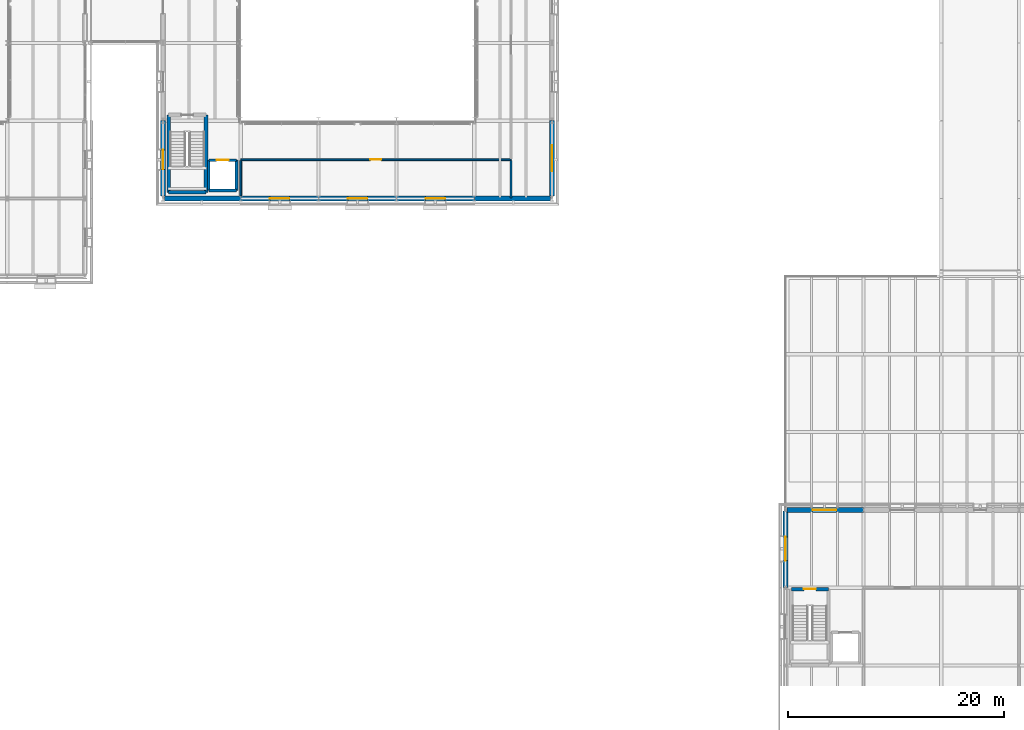
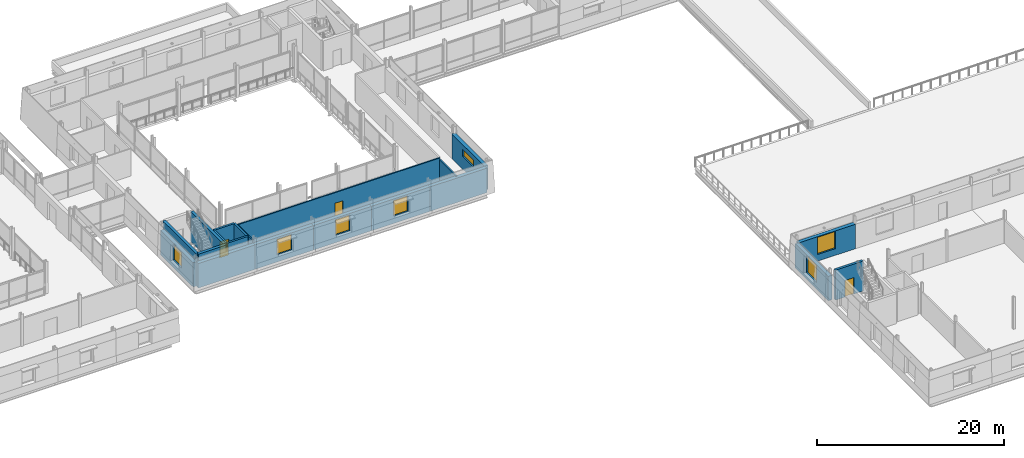
# One storey, part 69 of 115: 20 walls, 7 windows, 3 doors, 10 openings.
"""IFC4 building model written with IfcOpenShell, lengths in metres."""

from ifc_helpers import new_model, si_unit, direction, frame, frame_2d, origin, place, context, subcontext, project, spatial, rectangle, extrude, material, layer, layer_set, type_object, element, fill, save


model = new_model("IFC4")

# Units and contexts
model_context = context("Model", 3, precision=1e-05, world=origin(), true_north=direction((0.0, 1.0)))
body_context = subcontext(model_context, "Body", "Model", "MODEL_VIEW")
ifc_project = project(units=[si_unit("LENGTHUNIT", "METRE"), si_unit("AREAUNIT", "SQUARE_METRE"), si_unit("VOLUMEUNIT", "CUBIC_METRE"), si_unit("PLANEANGLEUNIT", "RADIAN"), si_unit("MASSUNIT", "GRAM", prefix="KILO")], contexts=[model_context])

# Site, building, storey
site_placement = place(None, origin())
site = spatial("IfcSite", under=ifc_project, at=site_placement, CompositionType="ELEMENT")
building_placement = place(site_placement, origin())
building = spatial("IfcBuilding", under=site, at=building_placement, Name="Narikvali Park Central Library", CompositionType="ELEMENT")
storey_placement = place(building_placement, frame((0.0, 0.0, 10.199951171875)))
storey = spatial("IfcBuildingStorey", under=building, at=storey_placement, Name="L02", CompositionType="ELEMENT", Elevation=10.199951171875)

# Walls
ifc_material_1 = material(Name="Acoustic Gypsum on Steel Studs", Category="steel")
ifc_layer_1 = layer(ifc_material_1, 0.179931640625, Name="Acoustic Gypsum on Steel Studs")
ifc_layer_set_1 = layer_set([ifc_layer_1], Name="Acoustic Gypsum on Steel Studs")
wall_type_1 = type_object("IfcWallType", Name="Reading Room Acoustic Partition 180", PredefinedType="PARTITIONING", material=ifc_layer_set_1)
wall_1_placement = place(storey_placement, frame((97.0, 57.655029296875, 0.0), z_axis=(0.0, 0.0, 1.0), x_axis=(0.0, 1.0, 0.0)))
element("IfcWall", 1, at=wall_1_placement, inside=storey, type_object=wall_type_1, Name="Mezzanine East Open Stacks Gallery Partition W", PredefinedType="PARTITIONING", context=body_context, shape_type="SweptSolid", body=[
    extrude(rectangle(XDim=3.462890625, YDim=0.179931640625, at=frame_2d((1.7314453125, 0.0))), origin(), (0.0, 0.0, 1.0), 3.35498046875),
])
ifc_material_2 = material(Name="Concrete C40/50", Category="concrete")
ifc_layer_2 = layer(ifc_material_2, 0.35009765625, Name="Concrete C40/50")
ifc_layer_set_2 = layer_set([ifc_layer_2], Name="Concrete C40/50")
wall_type_2 = type_object("IfcWallType", Name="Reinforced Concrete Core Shear Wall 350", PredefinedType="SHEAR", material=ifc_layer_set_2)
wall_2_placement = place(storey_placement, frame((65.330078125, 58.179931640625, 0.0), z_axis=(0.0, 0.0, 1.0), x_axis=(1.0, 0.0, 0.0)))
element("IfcWall", 2, at=wall_2_placement, inside=storey, type_object=wall_type_2, Name="C1A L02 Stair Core Shear Wall S", PredefinedType="SHEAR", context=body_context, shape_type="SweptSolid", body=[
    extrude(rectangle(XDim=3.43994140625, YDim=0.35009765625, at=frame_2d((1.719970703125, 0.0))), origin(), (0.0, 0.0, 1.0), 3.920166015625),
])
for number, where, z_axis, x_axis, name in (
    (3, (68.77001953125, 58.179931640625, 0.0), (0.0, 0.0, 1.0), (0.0, 1.0, 0.0), "C1A L02 Stair Core Shear Wall E"),
    (4, (65.330078125, 65.320068359375, 0.0), (0.0, 0.0, 1.0), (0.0, -1.0, 0.0), "C1A L02 Stair Core Shear Wall W"),
):
    element("IfcWall", number, at=place(storey_placement, frame(where, z_axis=z_axis, x_axis=x_axis)), inside=storey, type_object=wall_type_2, Name=name, PredefinedType="SHEAR", context=body_context, shape_type="SweptSolid", body=[
        extrude(rectangle(XDim=7.14013671875, YDim=0.35009765625, at=frame_2d((3.570068359375, 0.0))), origin(), (0.0, 0.0, 1.0), 3.920166015625),
    ])
ifc_layer_3 = layer(ifc_material_2, 0.25, Name="Concrete C40/50")
ifc_layer_set_3 = layer_set([ifc_layer_3], Name="Concrete C40/50")
wall_type_3 = type_object("IfcWallType", Name="Reinforced Concrete Lift Shaft Wall 250", PredefinedType="SHEAR", material=ifc_layer_set_3)
wall_3_placement = place(storey_placement, frame((69.050048828125, 58.35009765625, 0.0), z_axis=(0.0, 0.0, 1.0), x_axis=(1.0, 0.0, 0.0)))
element("IfcWall", 5, at=wall_3_placement, inside=storey, type_object=wall_type_3, Name="L-01 L02 Lift Shaft Wall S", PredefinedType="SHEAR", context=body_context, shape_type="SweptSolid", body=[
    extrude(rectangle(XDim=2.550048828125, YDim=0.25, at=frame_2d((1.27490234375, 0.0))), origin(), (0.0, 0.0, 1.0), 3.920166015625),
])
wall_4_placement = place(storey_placement, frame((71.60009765625, 58.35009765625, 0.0), z_axis=(0.0, 0.0, 1.0), x_axis=(0.0, 1.0, 0.0)))
element("IfcWall", 6, at=wall_4_placement, inside=storey, type_object=wall_type_3, Name="L-01 L02 Lift Shaft Wall E", PredefinedType="SHEAR", context=body_context, shape_type="SweptSolid", body=[
    extrude(rectangle(XDim=2.7998046875, YDim=0.25, at=frame_2d((1.39990234375, 0.0))), origin(), (0.0, 0.0, 1.0), 3.920166015625),
])

# Wall, opening, door
wall_5_placement = place(storey_placement, frame((71.60009765625, 61.14990234375, 0.0), z_axis=(0.0, 0.0, 1.0), x_axis=(-1.0, 0.0, 0.0)))
wall_5 = element("IfcWall", 7, at=wall_5_placement, inside=storey, type_object=wall_type_3, Name="L-01 L02 Lift Shaft Wall N", PredefinedType="SHEAR", context=body_context, shape_type="SweptSolid", body=[
    extrude(rectangle(XDim=2.550048828125, YDim=0.25, at=frame_2d((1.27490234375, 0.0))), origin(), (0.0, 0.0, 1.0), 3.920166015625),
])
opening_1_placement = place(wall_5_placement, frame((0.72509765625, 0.0, 0.0)))
opening_1 = element("IfcOpeningElement", 8, at=opening_1_placement, cuts=wall_5, Name="Opening LD-004", PredefinedType="OPENING", context=body_context, shape_type="SweptSolid", body=[
    extrude(rectangle(XDim=1.10009765625, YDim=2.10009765625, at=frame_2d((0.550048828125, 1.050048828125))), frame((0.0, 0.136962890625, 0.0), z_axis=(0.0, -1.0, 0.0), x_axis=(1.0, 0.0, 0.0)), (0.0, 0.0, 1.0), 0.27392578125),
])
ifc_material_3 = material(Name="Brushed Stainless Steel S355", Category="steel")
door_type_1 = type_object("IfcDoorType", Name="Passenger Lift Sliding Landing Door 1100x2100", OperationType="SLIDING_TO_LEFT", PredefinedType="DOOR", material=ifc_material_3)
door_1_placement = place(opening_1_placement, origin())
door_1 = element("IfcDoor", 9, at=door_1_placement, inside=storey, type_object=door_type_1, Name="L-01 L02 Lift Landing Sliding Door LD-004", OperationType="SLIDING_TO_LEFT", OverallHeight=2.10009765625, OverallWidth=1.10009765625, PredefinedType="DOOR", context=body_context, shape_type="SweptSolid", body=[
    extrude(rectangle(XDim=1.10009765625, YDim=2.10009765625, at=frame_2d((0.550048828125, 1.050048828125))), frame((0.0, 0.02490234375, 0.0), z_axis=(0.0, -1.0, 0.0), x_axis=(1.0, 0.0, 0.0)), (0.0, 0.0, 1.0), 0.050048828125),
])
fill(opening_1, door_1)

# Wall
wall_6_placement = place(storey_placement, frame((69.050048828125, 61.14990234375, 0.0), z_axis=(0.0, 0.0, 1.0), x_axis=(0.0, -1.0, 0.0)))
element("IfcWall", 10, at=wall_6_placement, inside=storey, type_object=wall_type_3, Name="L-01 L02 Lift Shaft Wall W", PredefinedType="SHEAR", context=body_context, shape_type="SweptSolid", body=[
    extrude(rectangle(XDim=2.7998046875, YDim=0.25, at=frame_2d((1.39990234375, 0.0))), origin(), (0.0, 0.0, 1.0), 3.920166015625),
])

# Wall, opening, door
ifc_layer_4 = layer(ifc_material_2, 0.300048828125, Name="Concrete C40/50")
ifc_layer_set_4 = layer_set([ifc_layer_4], Name="Concrete C40/50")
wall_type_4 = type_object("IfcWallType", Name="Reinforced Concrete Shear Wall 300", PredefinedType="SHEAR", material=ifc_layer_set_4)
wall_7_placement = place(storey_placement, frame((126.3701171875, 21.469970703125, 0.0), z_axis=(0.0, 0.0, 1.0), x_axis=(-1.0, 0.0, 0.0)))
wall_7 = element("IfcWall", 11, at=wall_7_placement, inside=storey, type_object=wall_type_4, Name="C6A L02 Stair Core Shear Wall N", PredefinedType="SHEAR", context=body_context, shape_type="SweptSolid", body=[
    extrude(rectangle(XDim=3.440185546875, YDim=0.300048828125, at=frame_2d((1.72021484375, 0.0))), origin(), (0.0, 0.0, 1.0), 3.920166015625),
])
opening_2_placement = place(wall_7_placement, frame((1.169921875, 0.0, 0.0)))
opening_2 = element("IfcOpeningElement", 12, at=opening_2_placement, cuts=wall_7, Name="Opening SD-060", PredefinedType="OPENING", context=body_context, shape_type="SweptSolid", body=[
    extrude(rectangle(XDim=1.10009765625, YDim=2.14990234375, at=frame_2d((0.550048828125, 1.074951171875))), frame((0.0, 0.162109375, 0.0), z_axis=(0.0, -1.0, 0.0), x_axis=(1.0, 0.0, 0.0)), (0.0, 0.0, 1.0), 0.323974609375),
])
ifc_material_4 = material(Name="Powder-Coated Steel S275 Fire Leaf", Category="steel")
door_type_2 = type_object("IfcDoorType", Name="Stair Core Smoke-Control Fire Door 1100x2150", OperationType="SINGLE_SWING_LEFT", PredefinedType="DOOR", material=ifc_material_4)
door_2_placement = place(opening_2_placement, frame((1.10009765625, 0.0, 0.0), z_axis=(0.0, 0.0, 1.0), x_axis=(-1.0, 0.0, 0.0)))
door_2 = element("IfcDoor", 13, at=door_2_placement, inside=storey, type_object=door_type_2, Name="ST-11 L02 Stair Exit Door SD-060", OperationType="SINGLE_SWING_RIGHT", OverallHeight=2.14990234375, OverallWidth=1.10009765625, PredefinedType="DOOR", context=body_context, shape_type="SweptSolid", body=[
    extrude(rectangle(XDim=1.10009765625, YDim=2.14990234375, at=frame_2d((0.550048828125, 1.074951171875))), frame((0.0, 0.02490234375, 0.0), z_axis=(0.0, -1.0, 0.0), x_axis=(1.0, 0.0, 0.0)), (0.0, 0.0, 1.0), 0.050048828125),
])
fill(opening_2, door_2)

ifc_material_5 = material(Name="Gypsum Board on Galvanised Steel Studs", Category="steel")
ifc_layer_5 = layer(ifc_material_5, 0.159912109375, Name="Gypsum Board on Galvanised Steel Studs")
ifc_layer_set_5 = layer_set([ifc_layer_5], Name="Gypsum Board on Galvanised Steel Studs")
wall_type_5 = type_object("IfcWallType", Name="Study Room Partition Wall 160", PredefinedType="PARTITIONING", material=ifc_layer_set_5)
wall_8_placement = place(storey_placement, frame((72.0, 61.199951171875, 0.0), z_axis=(0.0, 0.0, 1.0), x_axis=(1.0, 0.0, 0.0)))
wall_8 = element("IfcWall", 14, at=wall_8_placement, inside=storey, type_object=wall_type_5, Name="Mezzanine South Scholar Carrels Partition N", PredefinedType="PARTITIONING", context=body_context, shape_type="SweptSolid", body=[
    extrude(rectangle(XDim=25.0, YDim=0.159912109375, at=frame_2d((12.5, 0.0))), origin(), (0.0, 0.0, 1.0), 3.541015625),
])
opening_3_placement = place(wall_8_placement, frame((12.0, 0.0, 0.0)))
opening_3 = element("IfcOpeningElement", 15, at=opening_3_placement, cuts=wall_8, Name="Opening ID-0046", PredefinedType="OPENING", context=body_context, shape_type="SweptSolid", body=[
    extrude(rectangle(XDim=1.0, YDim=2.14990234375, at=frame_2d((0.5, 1.074951171875))), frame((0.0, 0.091796875, 0.0), z_axis=(0.0, -1.0, 0.0), x_axis=(1.0, 0.0, 0.0)), (0.0, 0.0, 1.0), 0.183837890625),
])
ifc_material_6 = material(Name="Solid Caucasian Oak")
door_type_3 = type_object("IfcDoorType", Name="Study Room Single Oak Door 1000x2150", OperationType="SINGLE_SWING_LEFT", PredefinedType="DOOR", material=ifc_material_6)
door_3_placement = place(opening_3_placement, frame((1.0, 0.0, 0.0), z_axis=(0.0, 0.0, 1.0), x_axis=(-1.0, 0.0, 0.0)))
door_3 = element("IfcDoor", 16, at=door_3_placement, inside=storey, type_object=door_type_3, Name="Mezzanine South Scholar Carrels Door ID-0046", OperationType="SINGLE_SWING_RIGHT", OverallHeight=2.14990234375, OverallWidth=1.0, PredefinedType="DOOR", context=body_context, shape_type="SweptSolid", body=[
    extrude(rectangle(XDim=1.0, YDim=2.14990234375, at=frame_2d((0.5, 1.074951171875))), frame((0.0, 0.02490234375, 0.0), z_axis=(0.0, -1.0, 0.0), x_axis=(1.0, 0.0, 0.0)), (0.0, 0.0, 1.0), 0.050048828125),
])
fill(opening_3, door_3)

# Walls
wall_9_placement = place(storey_placement, frame((72.0, 57.8291015625, 0.0), z_axis=(0.0, 0.0, 1.0), x_axis=(0.0, 1.0, 0.0)))
element("IfcWall", 17, at=wall_9_placement, inside=storey, type_object=wall_type_5, Name="Mezzanine South Scholar Carrels Partition W", PredefinedType="PARTITIONING", context=body_context, shape_type="SweptSolid", body=[
    extrude(rectangle(XDim=3.288818359375, YDim=0.159912109375, at=frame_2d((1.64453125, 0.0))), origin(), (0.0, 0.0, 1.0), 3.554931640625),
])
ifc_material_7 = material(Name="White Honed Limestone over Concrete C35/45", Category="masonry")
ifc_layer_6 = layer(ifc_material_7, 0.43994140625, Name="White Honed Limestone over Concrete C35/45")
ifc_layer_set_6 = layer_set([ifc_layer_6], Name="White Honed Limestone over Concrete C35/45")
wall_type_6 = type_object("IfcWallType", Name="White Limestone Battered Tier2 Wall 440", PredefinedType="SOLIDWALL", material=ifc_layer_set_6)
wall_10_placement = place(storey_placement, frame((64.9541015625, 57.60009765625, 0.0), z_axis=(0.0, 0.0, 1.0), x_axis=(1.0, 0.0, 0.0)))
element("IfcWall", 18, at=wall_10_placement, inside=storey, type_object=wall_type_6, Name="V1 L02 S Exterior Limestone Wall B01", PredefinedType="SOLIDWALL", context=body_context, shape_type="SweptSolid", body=[
    extrude(rectangle(XDim=7.0458984375, YDim=0.43994140625, at=frame_2d((3.52294921875, 0.0))), origin(), (0.0, 0.0, 1.0), 3.199951171875),
])

# Wall, opening, window
wall_11_placement = place(storey_placement, frame((72.0, 57.60009765625, 0.0), z_axis=(0.0, 0.0, 1.0), x_axis=(1.0, 0.0, 0.0)))
wall_11 = element("IfcWall", 19, at=wall_11_placement, inside=storey, type_object=wall_type_6, Name="V1 L02 S Exterior Limestone Wall B02", PredefinedType="SOLIDWALL", context=body_context, shape_type="SweptSolid", body=[
    extrude(rectangle(XDim=7.199951171875, YDim=0.43994140625, at=frame_2d((3.60009765625, 0.0))), origin(), (0.0, 0.0, 1.0), 3.199951171875),
])
opening_4_placement = place(wall_11_placement, frame((2.699951171875, 0.0, 0.949951171875)))
opening_4 = element("IfcOpeningElement", 20, at=opening_4_placement, cuts=wall_11, Name="Opening WIN-0024", PredefinedType="OPENING", context=body_context, shape_type="SweptSolid", body=[
    extrude(rectangle(XDim=1.800048828125, YDim=2.050048828125, at=frame_2d((0.89990234375, 1.02490234375))), frame((0.0, 0.23193359375, 0.0), z_axis=(0.0, -1.0, 0.0), x_axis=(1.0, 0.0, 0.0)), (0.0, 0.0, 1.0), 0.4638671875),
])
ifc_material_8 = material(Name="Anodised Bronze Aluminium and Low-E Triple Glazing", Category="aluminium")
window_type_1 = type_object("IfcWindowType", Name="Rotunda Mezzanine Deep-Set Window 1800x2050", PartitioningType="DOUBLE_PANEL_VERTICAL", PredefinedType="WINDOW", material=ifc_material_8)
window_1_placement = place(opening_4_placement, origin())
window_1 = element("IfcWindow", 21, at=window_1_placement, inside=storey, type_object=window_type_1, Name="V1 L02 S Deep-Reveal Window WIN-0024", OverallHeight=2.050048828125, OverallWidth=1.800048828125, PartitioningType="SINGLE_PANEL", PredefinedType="WINDOW", context=body_context, shape_type="SweptSolid", body=[
    extrude(rectangle(XDim=1.800048828125, YDim=2.050048828125, at=frame_2d((0.89990234375, 1.02490234375))), frame((0.0, 0.030029296875, 0.0), z_axis=(0.0, -1.0, 0.0), x_axis=(1.0, 0.0, 0.0)), (0.0, 0.0, 1.0), 0.06005859375),
])
fill(opening_4, window_1)

wall_12_placement = place(storey_placement, frame((79.199951171875, 57.60009765625, 0.0), z_axis=(0.0, 0.0, 1.0), x_axis=(1.0, 0.0, 0.0)))
wall_12 = element("IfcWall", 22, at=wall_12_placement, inside=storey, type_object=wall_type_6, Name="V1 L02 S Exterior Limestone Wall B03", PredefinedType="SOLIDWALL", context=body_context, shape_type="SweptSolid", body=[
    extrude(rectangle(XDim=7.199951171875, YDim=0.43994140625, at=frame_2d((3.60009765625, 0.0))), origin(), (0.0, 0.0, 1.0), 3.199951171875),
])
opening_5_placement = place(wall_12_placement, frame((2.699951171875, 0.0, 0.949951171875)))
opening_5 = element("IfcOpeningElement", 23, at=opening_5_placement, cuts=wall_12, Name="Opening WIN-0025", PredefinedType="OPENING", context=body_context, shape_type="SweptSolid", body=[
    extrude(rectangle(XDim=1.800048828125, YDim=2.050048828125, at=frame_2d((0.89990234375, 1.02490234375))), frame((0.0, 0.23193359375, 0.0), z_axis=(0.0, -1.0, 0.0), x_axis=(1.0, 0.0, 0.0)), (0.0, 0.0, 1.0), 0.4638671875),
])
window_2_placement = place(opening_5_placement, origin())
window_2 = element("IfcWindow", 24, at=window_2_placement, inside=storey, type_object=window_type_1, Name="V1 L02 S Deep-Reveal Window WIN-0025", OverallHeight=2.050048828125, OverallWidth=1.800048828125, PartitioningType="SINGLE_PANEL", PredefinedType="WINDOW", context=body_context, shape_type="SweptSolid", body=[
    extrude(rectangle(XDim=1.800048828125, YDim=2.050048828125, at=frame_2d((0.89990234375, 1.02490234375))), frame((0.0, 0.030029296875, 0.0), z_axis=(0.0, -1.0, 0.0), x_axis=(1.0, 0.0, 0.0)), (0.0, 0.0, 1.0), 0.06005859375),
])
fill(opening_5, window_2)

wall_13_placement = place(storey_placement, frame((86.39990234375, 57.60009765625, 0.0), z_axis=(0.0, 0.0, 1.0), x_axis=(1.0, 0.0, 0.0)))
wall_13 = element("IfcWall", 25, at=wall_13_placement, inside=storey, type_object=wall_type_6, Name="V1 L02 S Exterior Limestone Wall B04", PredefinedType="SOLIDWALL", context=body_context, shape_type="SweptSolid", body=[
    extrude(rectangle(XDim=7.2001953125, YDim=0.43994140625, at=frame_2d((3.60009765625, 0.0))), origin(), (0.0, 0.0, 1.0), 3.199951171875),
])
opening_6_placement = place(wall_13_placement, frame((2.699951171875, 0.0, 0.949951171875)))
opening_6 = element("IfcOpeningElement", 26, at=opening_6_placement, cuts=wall_13, Name="Opening WIN-0026", PredefinedType="OPENING", context=body_context, shape_type="SweptSolid", body=[
    extrude(rectangle(XDim=1.800048828125, YDim=2.050048828125, at=frame_2d((0.89990234375, 1.02490234375))), frame((0.0, 0.23193359375, 0.0), z_axis=(0.0, -1.0, 0.0), x_axis=(1.0, 0.0, 0.0)), (0.0, 0.0, 1.0), 0.4638671875),
])
window_3_placement = place(opening_6_placement, origin())
window_3 = element("IfcWindow", 27, at=window_3_placement, inside=storey, type_object=window_type_1, Name="V1 L02 S Deep-Reveal Window WIN-0026", OverallHeight=2.050048828125, OverallWidth=1.800048828125, PartitioningType="SINGLE_PANEL", PredefinedType="WINDOW", context=body_context, shape_type="SweptSolid", body=[
    extrude(rectangle(XDim=1.800048828125, YDim=2.050048828125, at=frame_2d((0.89990234375, 1.02490234375))), frame((0.0, 0.030029296875, 0.0), z_axis=(0.0, -1.0, 0.0), x_axis=(1.0, 0.0, 0.0)), (0.0, 0.0, 1.0), 0.06005859375),
])
fill(opening_6, window_3)

# Wall
wall_14_placement = place(storey_placement, frame((93.60009765625, 57.60009765625, 0.0), z_axis=(0.0, 0.0, 1.0), x_axis=(1.0, 0.0, 0.0)))
element("IfcWall", 28, at=wall_14_placement, inside=storey, type_object=wall_type_6, Name="V1 L02 S Exterior Limestone Wall B05", PredefinedType="SOLIDWALL", context=body_context, shape_type="SweptSolid", body=[
    extrude(rectangle(XDim=7.0458984375, YDim=0.43994140625, at=frame_2d((3.52294921875, 0.0))), origin(), (0.0, 0.0, 1.0), 3.199951171875),
])

# Wall, opening, window
wall_15_placement = place(storey_placement, frame((100.800048828125, 57.8291015625, 0.0), z_axis=(0.0, 0.0, 1.0), x_axis=(0.0, 1.0, 0.0)))
wall_15 = element("IfcWall", 29, at=wall_15_placement, inside=storey, type_object=wall_type_6, Name="V1 L02 E Exterior Limestone Wall B01", PredefinedType="SOLIDWALL", context=body_context, shape_type="SweptSolid", body=[
    extrude(rectangle(XDim=6.970947265625, YDim=0.43994140625, at=frame_2d((3.4853515625, 0.0))), origin(), (0.0, 0.0, 1.0), 3.199951171875),
])
opening_7_placement = place(wall_15_placement, frame((2.285400390625, 0.0, 1.64990234375)))
opening_7 = element("IfcOpeningElement", 30, at=opening_7_placement, cuts=wall_15, Name="Opening SKY-03", PredefinedType="OPENING", context=body_context, shape_type="SweptSolid", body=[
    extrude(rectangle(XDim=2.39990234375, YDim=0.949951171875, at=frame_2d((1.199951171875, 0.47509765625))), frame((0.0, 0.23193359375, 0.0), z_axis=(0.0, -1.0, 0.0), x_axis=(1.0, 0.0, 0.0)), (0.0, 0.0, 1.0), 0.4638671875),
])
ifc_material_9 = material(Name="Laminated Solar-Control Skylight Glazing", Category="glass")
window_type_2 = type_object("IfcWindowType", Name="Atrium Roof Acoustic Skylight 2400x2400", PartitioningType="SINGLE_PANEL", PredefinedType="SKYLIGHT", material=ifc_material_9)
window_4_placement = place(opening_7_placement, origin())
window_4 = element("IfcWindow", 31, at=window_4_placement, inside=storey, type_object=window_type_2, Name="V1 Clerestory Lantern Skylight SKY-03", OverallHeight=0.949951171875, OverallWidth=2.39990234375, PartitioningType="SINGLE_PANEL", PredefinedType="SKYLIGHT", context=body_context, shape_type="SweptSolid", body=[
    extrude(rectangle(XDim=2.39990234375, YDim=0.949951171875, at=frame_2d((1.199951171875, 0.47509765625))), frame((0.0, 0.030029296875, 0.0), z_axis=(0.0, -1.0, 0.0), x_axis=(1.0, 0.0, 0.0)), (0.0, 0.0, 1.0), 0.06005859375),
])
fill(opening_7, window_4)

wall_16_placement = place(storey_placement, frame((64.800048828125, 64.800048828125, 0.0), z_axis=(0.0, 0.0, 1.0), x_axis=(0.0, -1.0, 0.0)))
wall_16 = element("IfcWall", 32, at=wall_16_placement, inside=storey, type_object=wall_type_6, Name="V1 L02 W Exterior Limestone Wall B05", PredefinedType="SOLIDWALL", context=body_context, shape_type="SweptSolid", body=[
    extrude(rectangle(XDim=6.970947265625, YDim=0.43994140625, at=frame_2d((3.4853515625, 0.0))), origin(), (0.0, 0.0, 1.0), 3.199951171875),
])
opening_8_placement = place(wall_16_placement, frame((2.699951171875, 0.0, 0.949951171875)))
opening_8 = element("IfcOpeningElement", 33, at=opening_8_placement, cuts=wall_16, Name="Opening WIN-0036", PredefinedType="OPENING", context=body_context, shape_type="SweptSolid", body=[
    extrude(rectangle(XDim=1.800048828125, YDim=2.050048828125, at=frame_2d((0.89990234375, 1.02490234375))), frame((0.0, 0.23193359375, 0.0), z_axis=(0.0, -1.0, 0.0), x_axis=(1.0, 0.0, 0.0)), (0.0, 0.0, 1.0), 0.4638671875),
])
window_5_placement = place(opening_8_placement, origin())
window_5 = element("IfcWindow", 34, at=window_5_placement, inside=storey, type_object=window_type_1, Name="V1 L02 W Deep-Reveal Window WIN-0036", OverallHeight=2.050048828125, OverallWidth=1.800048828125, PartitioningType="SINGLE_PANEL", PredefinedType="WINDOW", context=body_context, shape_type="SweptSolid", body=[
    extrude(rectangle(XDim=1.800048828125, YDim=2.050048828125, at=frame_2d((0.89990234375, 1.02490234375))), frame((0.0, 0.030029296875, 0.0), z_axis=(0.0, -1.0, 0.0), x_axis=(1.0, 0.0, 0.0)), (0.0, 0.0, 1.0), 0.06005859375),
])
fill(opening_8, window_5)

wall_17_placement = place(storey_placement, frame((129.60009765625, 28.800048828125, 0.0), z_axis=(0.0, 0.0, 1.0), x_axis=(-1.0, 0.0, 0.0)))
wall_17 = element("IfcWall", 35, at=wall_17_placement, inside=storey, type_object=wall_type_6, Name="V6 L02 N Exterior Limestone Wall B06", PredefinedType="SOLIDWALL", context=body_context, shape_type="SweptSolid", body=[
    extrude(rectangle(XDim=7.076171875, YDim=0.43994140625, at=frame_2d((3.5380859375, 0.0))), origin(), (0.0, 0.0, 1.0), 3.199951171875),
])
opening_9_placement = place(wall_17_placement, frame((2.5, 0.0, 0.8701171875)))
opening_9 = element("IfcOpeningElement", 36, at=opening_9_placement, cuts=wall_17, Name="Opening WIN-0395", PredefinedType="OPENING", context=body_context, shape_type="SweptSolid", body=[
    extrude(rectangle(XDim=2.199951171875, YDim=2.25, at=frame_2d((1.10009765625, 1.125))), frame((0.0, 0.23193359375, 0.0), z_axis=(0.0, -1.0, 0.0), x_axis=(1.0, 0.0, 0.0)), (0.0, 0.0, 1.0), 0.4638671875),
])
window_type_3 = type_object("IfcWindowType", Name="Community & Fine Arts Studio Window 2200x2250", PartitioningType="TRIPLE_PANEL_VERTICAL", PredefinedType="WINDOW", material=ifc_material_8)
window_6_placement = place(opening_9_placement, origin())
window_6 = element("IfcWindow", 37, at=window_6_placement, inside=storey, type_object=window_type_3, Name="V6 L02 N Deep-Reveal Window WIN-0395", OverallHeight=2.25, OverallWidth=2.199951171875, PartitioningType="SINGLE_PANEL", PredefinedType="WINDOW", context=body_context, shape_type="SweptSolid", body=[
    extrude(rectangle(XDim=2.199951171875, YDim=2.25, at=frame_2d((1.10009765625, 1.125))), frame((0.0, 0.030029296875, 0.0), z_axis=(0.0, -1.0, 0.0), x_axis=(1.0, 0.0, 0.0)), (0.0, 0.0, 1.0), 0.06005859375),
])
fill(opening_9, window_6)

wall_18_placement = place(storey_placement, frame((122.39990234375, 28.676025390625, 0.0), z_axis=(0.0, 0.0, 1.0), x_axis=(0.0, -1.0, 0.0)))
wall_18 = element("IfcWall", 38, at=wall_18_placement, inside=storey, type_object=wall_type_6, Name="V6 L02 W Exterior Limestone Wall B01", PredefinedType="SOLIDWALL", context=body_context, shape_type="SweptSolid", body=[
    extrude(rectangle(XDim=7.075927734375, YDim=0.43994140625, at=frame_2d((3.5380859375, 0.0))), origin(), (0.0, 0.0, 1.0), 3.199951171875),
])
opening_10_placement = place(wall_18_placement, frame((2.3759765625, 0.0, 0.8701171875)))
opening_10 = element("IfcOpeningElement", 39, at=opening_10_placement, cuts=wall_18, Name="Opening WIN-0396", PredefinedType="OPENING", context=body_context, shape_type="SweptSolid", body=[
    extrude(rectangle(XDim=2.199951171875, YDim=2.25, at=frame_2d((1.10009765625, 1.125))), frame((0.0, 0.23193359375, 0.0), z_axis=(0.0, -1.0, 0.0), x_axis=(1.0, 0.0, 0.0)), (0.0, 0.0, 1.0), 0.4638671875),
])
window_7_placement = place(opening_10_placement, origin())
window_7 = element("IfcWindow", 40, at=window_7_placement, inside=storey, type_object=window_type_3, Name="V6 L02 W Deep-Reveal Window WIN-0396", OverallHeight=2.25, OverallWidth=2.199951171875, PartitioningType="SINGLE_PANEL", PredefinedType="WINDOW", context=body_context, shape_type="SweptSolid", body=[
    extrude(rectangle(XDim=2.199951171875, YDim=2.25, at=frame_2d((1.10009765625, 1.125))), frame((0.0, 0.030029296875, 0.0), z_axis=(0.0, -1.0, 0.0), x_axis=(1.0, 0.0, 0.0)), (0.0, 0.0, 1.0), 0.06005859375),
])
fill(opening_10, window_7)

save(model, "model.ifc")
